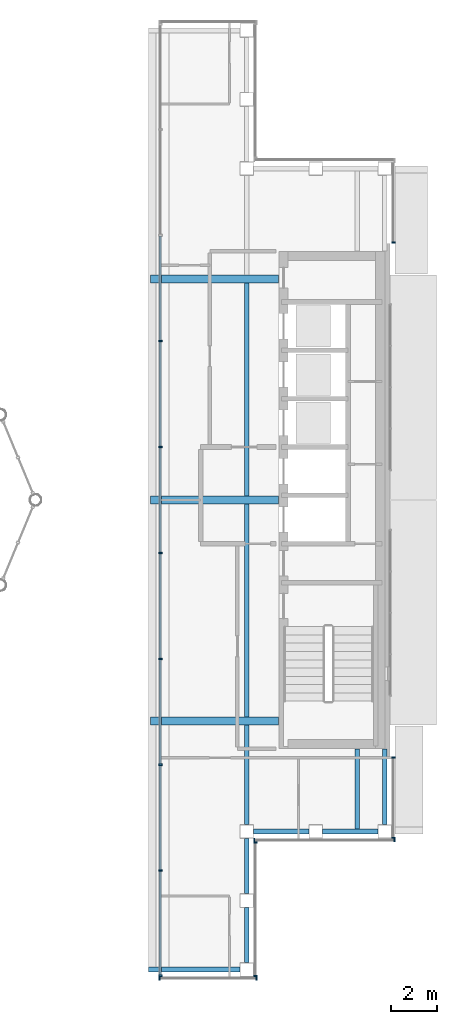
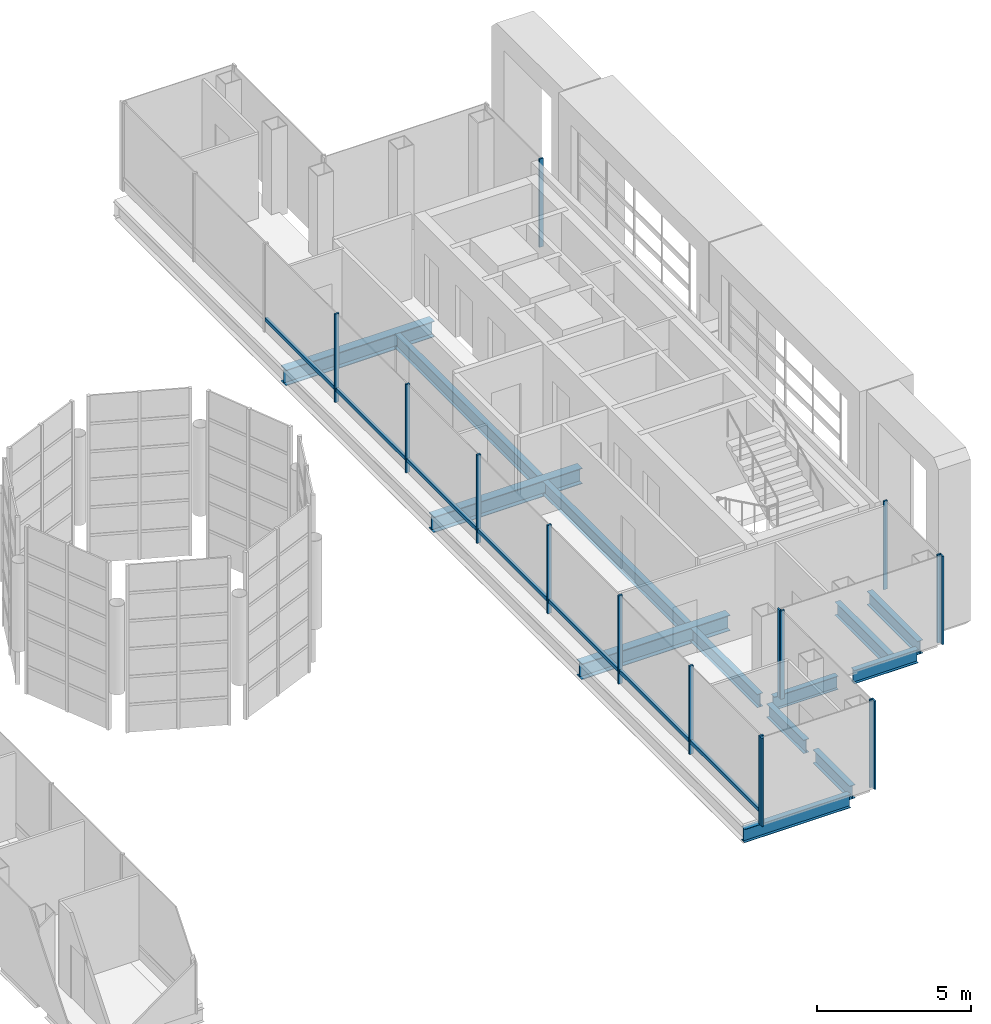
# One storey, part 7 of 21: 23 members, 13 beams, 6 elements without a shape of their own.
"""IFC4 building model written with IfcOpenShell, lengths in metres."""

from ifc_helpers import new_model, si_unit, direction, frame, origin, origin_2d, place, context, subcontext, project, spatial, rectangle, i_section, extrude, material, material_profile, profile_set, type_object, element, aggregate, save


model = new_model("IFC4")

# Units and contexts
model_context = context("Model", 3, precision=1e-05, world=origin(), true_north=direction((0.0, 1.0)))
body_context = subcontext(model_context, "Body", "Model", "MODEL_VIEW")
ifc_project = project(units=[si_unit("LENGTHUNIT", "METRE"), si_unit("AREAUNIT", "SQUARE_METRE"), si_unit("VOLUMEUNIT", "CUBIC_METRE"), si_unit("PLANEANGLEUNIT", "RADIAN"), si_unit("MASSUNIT", "GRAM", prefix="KILO")], contexts=[model_context])

# Site, building, storey
site_placement = place(None, origin())
site = spatial("IfcSite", under=ifc_project, at=site_placement, CompositionType="ELEMENT")
building_placement = place(site_placement, origin())
building = spatial("IfcBuilding", under=site, at=building_placement, Name="Cobrizo Arcos Hotel Tower", CompositionType="ELEMENT")
storey_placement = place(building_placement, frame((0.0, 0.0, 283.0)))
storey = spatial("IfcBuildingStorey", under=building, at=storey_placement, Name="L75", CompositionType="ELEMENT", Elevation=283.0)

# Curtain wall, members
ifc_material_1 = material(Name="Aluminium 6063-T6 anodised bronze", Category="aluminium")
curtain_wall_type_1 = type_object("IfcCurtainWallType", Name="CW-A guest facade", PredefinedType="NOTDEFINED", material=ifc_material_1)
curtain_wall_1_placement = place(storey_placement, origin())
curtain_wall_1 = element("IfcCurtainWall", 1, at=curtain_wall_1_placement, inside=storey, type_object=curtain_wall_type_1, Name="CW-A L75 S face", PredefinedType="NOTDEFINED")
ifc_material_profile_1 = material_profile(ifc_material_1, rectangle(XDim=0.14990234375, YDim=0.06005859375, at=origin_2d()), Name="CW-A mullion 150x60")
ifc_profile_set_1 = profile_set([ifc_material_profile_1], Name="Aluminium 6063-T6 anodised bronze")
member_type_1 = type_object("IfcMemberType", Name="CW-A mullion 150x60", PredefinedType="MULLION", material=ifc_profile_set_1)
member_1_placement = place(storey_placement, frame((10.60595703125, -20.77490234375, 0.0), z_axis=(0.0, 0.0, 1.0), x_axis=(0.0, -1.0, 0.0)))
member_1 = element("IfcMember", 2, at=member_1_placement, type_object=member_type_1, Name="CW-A mullion 1", PredefinedType="MULLION", context=body_context, shape_type="SweptSolid", body=[
    extrude(rectangle(XDim=0.14990234375, YDim=0.06005859375, at=origin_2d()), origin(), (0.0, 0.0, 1.0), 3.5),
])
member_2_placement = place(storey_placement, frame((14.820068359375, -20.77490234375, 0.0), z_axis=(0.0, 0.0, 1.0), x_axis=(0.0, -1.0, 0.0)))
member_2 = element("IfcMember", 3, at=member_2_placement, type_object=member_type_1, Name="CW-A mullion 2", PredefinedType="MULLION", context=body_context, shape_type="SweptSolid", body=[
    extrude(rectangle(XDim=0.14990234375, YDim=0.06005859375, at=origin_2d()), origin(), (0.0, 0.0, 1.0), 3.5),
])
aggregate(curtain_wall_1, [member_1, member_2])

curtain_wall_2_placement = place(storey_placement, origin())
curtain_wall_2 = element("IfcCurtainWall", 4, at=curtain_wall_2_placement, inside=storey, type_object=curtain_wall_type_1, Name="CW-A L75 E face", PredefinedType="NOTDEFINED")
member_3_placement = place(storey_placement, frame((14.77490234375, -20.669921875, 0.0), z_axis=(0.0, 0.0, 1.0), x_axis=(1.0, 0.0, 0.0)))
member_3 = element("IfcMember", 5, at=member_3_placement, type_object=member_type_1, Name="CW-A mullion 1", PredefinedType="MULLION", context=body_context, shape_type="SweptSolid", body=[
    extrude(rectangle(XDim=0.14990234375, YDim=0.06005859375, at=origin_2d()), origin(), (0.0, 0.0, 1.0), 3.5),
])
member_4_placement = place(storey_placement, frame((14.77490234375, -14.8798828125, 0.0), z_axis=(0.0, 0.0, 1.0), x_axis=(1.0, 0.0, 0.0)))
member_4 = element("IfcMember", 6, at=member_4_placement, type_object=member_type_1, Name="CW-A mullion 2", PredefinedType="MULLION", context=body_context, shape_type="SweptSolid", body=[
    extrude(rectangle(XDim=0.14990234375, YDim=0.06005859375, at=origin_2d()), origin(), (0.0, 0.0, 1.0), 3.5),
])
aggregate(curtain_wall_2, [member_3, member_4])

curtain_wall_3_placement = place(storey_placement, origin())
curtain_wall_3 = element("IfcCurtainWall", 7, at=curtain_wall_3_placement, inside=storey, type_object=curtain_wall_type_1, Name="CW-A L75 S face", PredefinedType="NOTDEFINED")
member_5_placement = place(storey_placement, frame((14.72998046875, -14.77490234375, 0.0), z_axis=(0.0, 0.0, 1.0), x_axis=(0.0, -1.0, 0.0)))
member_5 = element("IfcMember", 8, at=member_5_placement, type_object=member_type_1, Name="CW-A mullion 1", PredefinedType="MULLION", context=body_context, shape_type="SweptSolid", body=[
    extrude(rectangle(XDim=0.14990234375, YDim=0.06005859375, at=origin_2d()), origin(), (0.0, 0.0, 1.0), 3.5),
])
member_6_placement = place(storey_placement, frame((20.820068359375, -14.77490234375, 0.0), z_axis=(0.0, 0.0, 1.0), x_axis=(0.0, -1.0, 0.0)))
member_6 = element("IfcMember", 9, at=member_6_placement, type_object=member_type_1, Name="CW-A mullion 2", PredefinedType="MULLION", context=body_context, shape_type="SweptSolid", body=[
    extrude(rectangle(XDim=0.14990234375, YDim=0.06005859375, at=origin_2d()), origin(), (0.0, 0.0, 1.0), 3.5),
])
aggregate(curtain_wall_3, [member_5, member_6])

curtain_wall_4_placement = place(storey_placement, origin())
curtain_wall_4 = element("IfcCurtainWall", 10, at=curtain_wall_4_placement, inside=storey, type_object=curtain_wall_type_1, Name="CW-A L75 E face", PredefinedType="NOTDEFINED")
member_7_placement = place(storey_placement, frame((20.77490234375, -14.669921875, 0.0), z_axis=(0.0, 0.0, 1.0), x_axis=(1.0, 0.0, 0.0)))
member_7 = element("IfcMember", 11, at=member_7_placement, type_object=member_type_1, Name="CW-A mullion 1", PredefinedType="MULLION", context=body_context, shape_type="SweptSolid", body=[
    extrude(rectangle(XDim=0.14990234375, YDim=0.06005859375, at=origin_2d()), origin(), (0.0, 0.0, 1.0), 3.5),
])
member_8_placement = place(storey_placement, frame((20.77490234375, -11.179931640625, 0.0), z_axis=(0.0, 0.0, 1.0), x_axis=(1.0, 0.0, 0.0)))
member_8 = element("IfcMember", 12, at=member_8_placement, type_object=member_type_1, Name="CW-A mullion 2", PredefinedType="MULLION", context=body_context, shape_type="SweptSolid", body=[
    extrude(rectangle(XDim=0.14990234375, YDim=0.06005859375, at=origin_2d()), origin(), (0.0, 0.0, 1.0), 3.5),
])
aggregate(curtain_wall_4, [member_7, member_8])

# Curtain wall, member
curtain_wall_5_placement = place(storey_placement, origin())
curtain_wall_5 = element("IfcCurtainWall", 13, at=curtain_wall_5_placement, inside=storey, type_object=curtain_wall_type_1, Name="CW-A L75 E face", PredefinedType="NOTDEFINED")
member_9_placement = place(storey_placement, frame((20.77490234375, 11.179931640625, 0.0), z_axis=(0.0, 0.0, 1.0), x_axis=(1.0, 0.0, 0.0)))
member_9 = element("IfcMember", 14, at=member_9_placement, type_object=member_type_1, Name="CW-A mullion 1", PredefinedType="MULLION", context=body_context, shape_type="SweptSolid", body=[
    extrude(rectangle(XDim=0.14990234375, YDim=0.06005859375, at=origin_2d()), origin(), (0.0, 0.0, 1.0), 3.5),
])
aggregate(curtain_wall_5, [member_9])

# Curtain wall, members
curtain_wall_type_2 = type_object("IfcCurtainWallType", Name="CW-C arch infill and crown glazing", PredefinedType="NOTDEFINED", material=ifc_material_1)
curtain_wall_6_placement = place(storey_placement, origin())
curtain_wall_6 = element("IfcCurtainWall", 15, at=curtain_wall_6_placement, inside=storey, type_object=curtain_wall_type_2, Name="CW-C L75 W face", PredefinedType="NOTDEFINED")
ifc_material_profile_2 = material_profile(ifc_material_1, rectangle(XDim=0.14990234375, YDim=0.070068359375, at=origin_2d()), Name="CW-C mullion 150x70")
ifc_profile_set_2 = profile_set([ifc_material_profile_2], Name="Aluminium 6063-T6 anodised bronze")
member_type_2 = type_object("IfcMemberType", Name="CW-C mullion 150x70", PredefinedType="MULLION", material=ifc_profile_set_2)
member_10_placement = place(storey_placement, frame((10.65087890625, 6.89990234375, 0.0), z_axis=(0.0, 0.0, 1.0), x_axis=(-1.0, 0.0, 0.0)))
member_10 = element("IfcMember", 16, at=member_10_placement, type_object=member_type_2, Name="CW-C mullion 4", PredefinedType="MULLION", context=body_context, shape_type="SweptSolid", body=[
    extrude(rectangle(XDim=0.14990234375, YDim=0.070068359375, at=origin_2d()), origin(), (0.0, 0.0, 1.0), 3.5),
])
member_11_placement = place(storey_placement, frame((10.65087890625, 2.300048828125, 0.0), z_axis=(0.0, 0.0, 1.0), x_axis=(-1.0, 0.0, 0.0)))
member_11 = element("IfcMember", 17, at=member_11_placement, type_object=member_type_2, Name="CW-C mullion 5", PredefinedType="MULLION", context=body_context, shape_type="SweptSolid", body=[
    extrude(rectangle(XDim=0.14990234375, YDim=0.070068359375, at=origin_2d()), origin(), (0.0, 0.0, 1.0), 3.5),
])
member_12_placement = place(storey_placement, frame((10.65087890625, -2.300048828125, 0.0), z_axis=(0.0, 0.0, 1.0), x_axis=(-1.0, 0.0, 0.0)))
member_12 = element("IfcMember", 18, at=member_12_placement, type_object=member_type_2, Name="CW-C mullion 6", PredefinedType="MULLION", context=body_context, shape_type="SweptSolid", body=[
    extrude(rectangle(XDim=0.14990234375, YDim=0.070068359375, at=origin_2d()), origin(), (0.0, 0.0, 1.0), 3.5),
])
member_13_placement = place(storey_placement, frame((10.65087890625, -6.89990234375, 0.0), z_axis=(0.0, 0.0, 1.0), x_axis=(-1.0, 0.0, 0.0)))
member_13 = element("IfcMember", 19, at=member_13_placement, type_object=member_type_2, Name="CW-C mullion 7", PredefinedType="MULLION", context=body_context, shape_type="SweptSolid", body=[
    extrude(rectangle(XDim=0.14990234375, YDim=0.070068359375, at=origin_2d()), origin(), (0.0, 0.0, 1.0), 3.5),
])
member_14_placement = place(storey_placement, frame((10.65087890625, -11.5, 0.0), z_axis=(0.0, 0.0, 1.0), x_axis=(-1.0, 0.0, 0.0)))
member_14 = element("IfcMember", 20, at=member_14_placement, type_object=member_type_2, Name="CW-C mullion 8", PredefinedType="MULLION", context=body_context, shape_type="SweptSolid", body=[
    extrude(rectangle(XDim=0.14990234375, YDim=0.070068359375, at=origin_2d()), origin(), (0.0, 0.0, 1.0), 3.5),
])
member_15_placement = place(storey_placement, frame((10.65087890625, -16.10009765625, 0.0), z_axis=(0.0, 0.0, 1.0), x_axis=(-1.0, 0.0, 0.0)))
member_15 = element("IfcMember", 21, at=member_15_placement, type_object=member_type_2, Name="CW-C mullion 9", PredefinedType="MULLION", context=body_context, shape_type="SweptSolid", body=[
    extrude(rectangle(XDim=0.14990234375, YDim=0.070068359375, at=origin_2d()), origin(), (0.0, 0.0, 1.0), 3.5),
])
member_16_placement = place(storey_placement, frame((10.65087890625, -20.6650390625, 0.0), z_axis=(0.0, 0.0, 1.0), x_axis=(-1.0, 0.0, 0.0)))
member_16 = element("IfcMember", 22, at=member_16_placement, type_object=member_type_2, Name="CW-C mullion 10", PredefinedType="MULLION", context=body_context, shape_type="SweptSolid", body=[
    extrude(rectangle(XDim=0.14990234375, YDim=0.070068359375, at=origin_2d()), origin(), (0.0, 0.0, 1.0), 3.5),
])
ifc_material_profile_3 = material_profile(ifc_material_1, rectangle(XDim=0.10009765625, YDim=0.139892578125, at=origin_2d()), Name="CW-C transom 140x100")
ifc_profile_set_3 = profile_set([ifc_material_profile_3], Name="Aluminium 6063-T6 anodised bronze")
member_type_3 = type_object("IfcMemberType", Name="CW-C transom 140x100", PredefinedType="USERDEFINED", material=ifc_profile_set_3)
member_17_placement = place(storey_placement, frame((10.65087890625, 11.465087890625, 0.5), z_axis=(0.0, -1.0, 0.0), x_axis=(1.0, 0.0, 0.0)))
member_17 = element("IfcMember", 23, at=member_17_placement, type_object=member_type_3, Name="CW-C transom 2361", ObjectType="TRANSOM", PredefinedType="USERDEFINED", context=body_context, shape_type="SweptSolid", body=[
    extrude(rectangle(XDim=0.10009765625, YDim=0.139892578125, at=origin_2d()), origin(), (0.0, 0.0, 1.0), 4.530029296875),
])
member_18_placement = place(storey_placement, frame((10.65087890625, 6.864990234375, 0.5), z_axis=(0.0, -1.0, 0.0), x_axis=(1.0, 0.0, 0.0)))
member_18 = element("IfcMember", 24, at=member_18_placement, type_object=member_type_3, Name="CW-C transom 2362", ObjectType="TRANSOM", PredefinedType="USERDEFINED", context=body_context, shape_type="SweptSolid", body=[
    extrude(rectangle(XDim=0.10009765625, YDim=0.139892578125, at=origin_2d()), origin(), (0.0, 0.0, 1.0), 4.530029296875),
])
member_19_placement = place(storey_placement, frame((10.65087890625, 2.264892578125, 0.5), z_axis=(0.0, -1.0, 0.0), x_axis=(1.0, 0.0, 0.0)))
member_19 = element("IfcMember", 25, at=member_19_placement, type_object=member_type_3, Name="CW-C transom 2363", ObjectType="TRANSOM", PredefinedType="USERDEFINED", context=body_context, shape_type="SweptSolid", body=[
    extrude(rectangle(XDim=0.10009765625, YDim=0.139892578125, at=origin_2d()), origin(), (0.0, 0.0, 1.0), 4.52978515625),
])
member_20_placement = place(storey_placement, frame((10.65087890625, -2.3349609375, 0.5), z_axis=(0.0, -1.0, 0.0), x_axis=(1.0, 0.0, 0.0)))
member_20 = element("IfcMember", 26, at=member_20_placement, type_object=member_type_3, Name="CW-C transom 2364", ObjectType="TRANSOM", PredefinedType="USERDEFINED", context=body_context, shape_type="SweptSolid", body=[
    extrude(rectangle(XDim=0.10009765625, YDim=0.139892578125, at=origin_2d()), origin(), (0.0, 0.0, 1.0), 4.530029296875),
])
member_21_placement = place(storey_placement, frame((10.65087890625, -6.93505859375, 0.5), z_axis=(0.0, -1.0, 0.0), x_axis=(1.0, 0.0, 0.0)))
member_21 = element("IfcMember", 27, at=member_21_placement, type_object=member_type_3, Name="CW-C transom 2365", ObjectType="TRANSOM", PredefinedType="USERDEFINED", context=body_context, shape_type="SweptSolid", body=[
    extrude(rectangle(XDim=0.10009765625, YDim=0.139892578125, at=origin_2d()), origin(), (0.0, 0.0, 1.0), 4.530029296875),
])
member_22_placement = place(storey_placement, frame((10.65087890625, -11.534912109375, 0.5), z_axis=(0.0, -1.0, 0.0), x_axis=(1.0, 0.0, 0.0)))
member_22 = element("IfcMember", 28, at=member_22_placement, type_object=member_type_3, Name="CW-C transom 2366", ObjectType="TRANSOM", PredefinedType="USERDEFINED", context=body_context, shape_type="SweptSolid", body=[
    extrude(rectangle(XDim=0.10009765625, YDim=0.139892578125, at=origin_2d()), origin(), (0.0, 0.0, 1.0), 4.530029296875),
])
member_23_placement = place(storey_placement, frame((10.65087890625, -16.135009765625, 0.5), z_axis=(0.0, -1.0, 0.0), x_axis=(1.0, 0.0, 0.0)))
member_23 = element("IfcMember", 29, at=member_23_placement, type_object=member_type_3, Name="CW-C transom 2367", ObjectType="TRANSOM", PredefinedType="USERDEFINED", context=body_context, shape_type="SweptSolid", body=[
    extrude(rectangle(XDim=0.10009765625, YDim=0.139892578125, at=origin_2d()), origin(), (0.0, 0.0, 1.0), 4.494873046875),
])
aggregate(curtain_wall_6, [member_10, member_11, member_12, member_13, member_14, member_15, member_16, member_17, member_18, member_19, member_20, member_21, member_22, member_23])

# Beams
ifc_material_2 = material(Name="Steel ASTM A992 Grade 50", Category="steel")
ifc_material_profile_4 = material_profile(ifc_material_2, i_section(OverallWidth=0.209228515625, OverallDepth=0.533447265625, WebThickness=0.01025390625, FlangeThickness=0.015625, at=origin_2d()), Name="W21X62")
ifc_profile_set_4 = profile_set([ifc_material_profile_4], Name="Steel ASTM A992 Grade 50")
beam_type_1 = type_object("IfcBeamType", Name="W21X62 joist", PredefinedType="JOIST", material=ifc_profile_set_4)
beam_1_placement = place(storey_placement, frame((14.39990234375, -14.10009765625, -0.416748046875), z_axis=(0.0, 1.0, 0.0), x_axis=(-1.0, 0.0, 0.0)))
element("IfcBeam", 30, at=beam_1_placement, inside=storey, type_object=beam_type_1, Name="Floor joist J1, L75, no. 007", PredefinedType="JOIST", context=body_context, shape_type="SweptSolid", body=[
    extrude(i_section(OverallWidth=0.209228515625, OverallDepth=0.533447265625, WebThickness=0.01025390625, FlangeThickness=0.015625, at=origin_2d()), origin(), (0.0, 0.0, 1.0), 4.336181640625),
])
for number, where, z_axis, x_axis, name in (
    (31, (14.39990234375, -9.43603515625, -0.416748046875), (0.0, 1.0, 0.0), (-1.0, 0.0, 0.0), "Floor joist J1, L75, no. 008"),
    (32, (14.39990234375, 0.163818359375, -0.416748046875), (0.0, 1.0, 0.0), (-1.0, 0.0, 0.0), "Floor joist J1, L75, no. 009"),
):
    element("IfcBeam", number, at=place(storey_placement, frame(where, z_axis=z_axis, x_axis=x_axis)), inside=storey, type_object=beam_type_1, Name=name, PredefinedType="JOIST", context=body_context, shape_type="SweptSolid", body=[
        extrude(i_section(OverallWidth=0.209228515625, OverallDepth=0.533447265625, WebThickness=0.01025390625, FlangeThickness=0.015625, at=origin_2d()), origin(), (0.0, 0.0, 1.0), 9.272216796875),
    ])
beam_2_placement = place(storey_placement, frame((19.199951171875, -14.31005859375, -0.416748046875), z_axis=(0.0, 1.0, 0.0), x_axis=(-1.0, 0.0, 0.0)))
element("IfcBeam", 33, at=beam_2_placement, inside=storey, type_object=beam_type_1, Name="Floor joist J1, L75, no. 011", PredefinedType="JOIST", context=body_context, shape_type="SweptSolid", body=[
    extrude(i_section(OverallWidth=0.209228515625, OverallDepth=0.533447265625, WebThickness=0.01025390625, FlangeThickness=0.015625, at=origin_2d()), origin(), (0.0, 0.0, 1.0), 3.5),
])
ifc_material_profile_5 = material_profile(ifc_material_2, i_section(OverallWidth=0.209228515625, OverallDepth=0.533447265625, WebThickness=0.01025390625, FlangeThickness=0.015625, at=origin_2d()), Name="W21X62")
ifc_profile_set_5 = profile_set([ifc_material_profile_5], Name="Steel ASTM A992 Grade 50")
beam_type_2 = type_object("IfcBeamType", Name="W21X62 spandrel", PredefinedType="SPANDREL", material=ifc_profile_set_5)
beam_3_placement = place(storey_placement, frame((20.39990234375, -10.81005859375, -0.416748046875), z_axis=(0.0, -1.0, 0.0), x_axis=(1.0, 0.0, 0.0)))
element("IfcBeam", 34, at=beam_3_placement, inside=storey, type_object=beam_type_2, Name="Spandrel beam W21X62, L75, no. 019", PredefinedType="SPANDREL", context=body_context, shape_type="SweptSolid", body=[
    extrude(i_section(OverallWidth=0.209228515625, OverallDepth=0.533447265625, WebThickness=0.01025390625, FlangeThickness=0.015625, at=origin_2d()), origin(), (0.0, 0.0, 1.0), 3.2900390625),
])
for number, where, z_axis, x_axis, name in (
    (35, (20.10009765625, -14.39990234375, -0.416748046875), (-1.0, 0.0, 0.0), (0.0, -1.0, 0.0), "Spandrel beam W21X62, L75, no. 020"),
    (36, (17.10009765625, -14.39990234375, -0.416748046875), (-1.0, 0.0, 0.0), (0.0, -1.0, 0.0), "Spandrel beam W21X62, L75, no. 021"),
    (37, (14.39990234375, -14.699951171875, -0.416748046875), (0.0, -1.0, 0.0), (1.0, 0.0, 0.0), "Spandrel beam W21X62, L75, no. 022"),
    (38, (14.39990234375, -17.699951171875, -0.416748046875), (0.0, -1.0, 0.0), (1.0, 0.0, 0.0), "Spandrel beam W21X62, L75, no. 023"),
):
    element("IfcBeam", number, at=place(storey_placement, frame(where, z_axis=z_axis, x_axis=x_axis)), inside=storey, type_object=beam_type_2, Name=name, PredefinedType="SPANDREL", context=body_context, shape_type="SweptSolid", body=[
        extrude(i_section(OverallWidth=0.209228515625, OverallDepth=0.533447265625, WebThickness=0.01025390625, FlangeThickness=0.015625, at=origin_2d()), origin(), (0.0, 0.0, 1.0), 2.400146484375),
    ])
beam_4_placement = place(storey_placement, frame((14.10009765625, -20.39990234375, -0.416748046875), z_axis=(-1.0, 0.0, 0.0), x_axis=(0.0, -1.0, 0.0)))
element("IfcBeam", 39, at=beam_4_placement, inside=storey, type_object=beam_type_2, Name="Spandrel beam W21X62, L75, no. 024", PredefinedType="SPANDREL", context=body_context, shape_type="SweptSolid", body=[
    extrude(i_section(OverallWidth=0.209228515625, OverallDepth=0.533447265625, WebThickness=0.01025390625, FlangeThickness=0.015625, at=origin_2d()), origin(), (0.0, 0.0, 1.0), 3.97216796875),
])
ifc_material_profile_6 = material_profile(ifc_material_2, i_section(OverallWidth=0.32763671875, OverallDepth=0.622314453125, WebThickness=0.015380859375, FlangeThickness=0.0244140625, at=origin_2d()), Name="W24X131")
ifc_profile_set_6 = profile_set([ifc_material_profile_6], Name="Steel ASTM A992 Grade 50")
beam_type_3 = type_object("IfcBeamType", Name="W24X131 girder", PredefinedType="BEAM", material=ifc_profile_set_6)
for number, where, z_axis, x_axis, name in (
    (40, (10.218017578125, -9.60009765625, -0.461181640625), (1.0, 0.0, 0.0), (0.0, 1.0, 0.0), "Floor girder G1, L75, no. 002"),
    (41, (10.218017578125, 0.0, -0.461181640625), (1.0, 0.0, 0.0), (0.0, 1.0, 0.0), "Floor girder G1, L75, no. 004"),
    (42, (10.218017578125, 9.60009765625, -0.461181640625), (1.0, 0.0, 0.0), (0.0, 1.0, 0.0), "Floor girder G1, L75, no. 006"),
):
    element("IfcBeam", number, at=place(storey_placement, frame(where, z_axis=z_axis, x_axis=x_axis)), inside=storey, type_object=beam_type_3, Name=name, PredefinedType="BEAM", context=body_context, shape_type="SweptSolid", body=[
        extrude(i_section(OverallWidth=0.32763671875, OverallDepth=0.622314453125, WebThickness=0.015380859375, FlangeThickness=0.0244140625, at=origin_2d()), origin(), (0.0, 0.0, 1.0), 5.572021484375),
    ])

save(model, "model.ifc")
